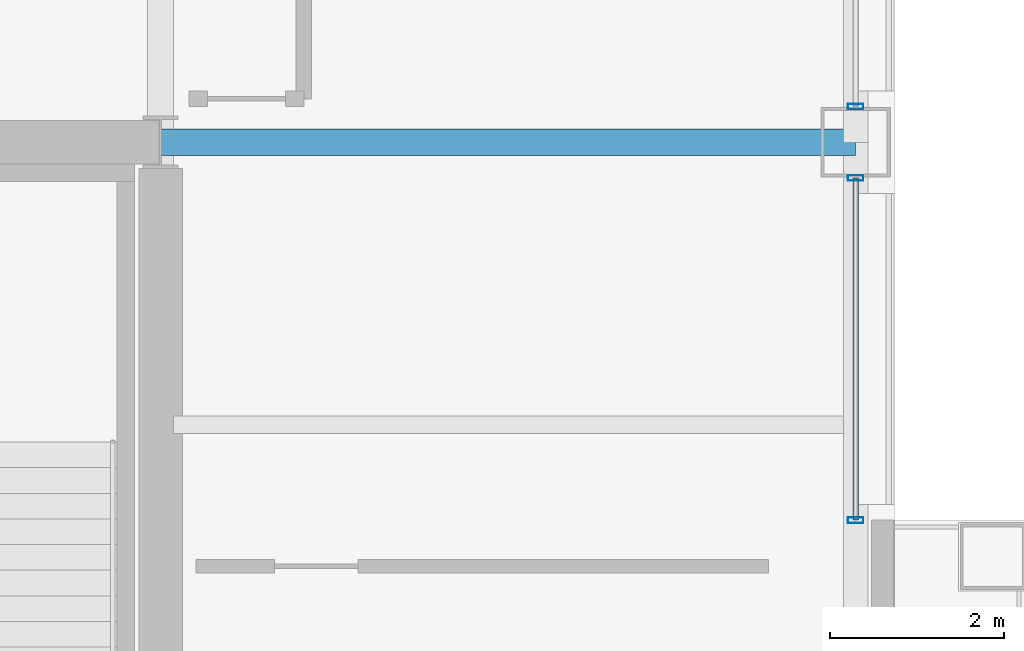
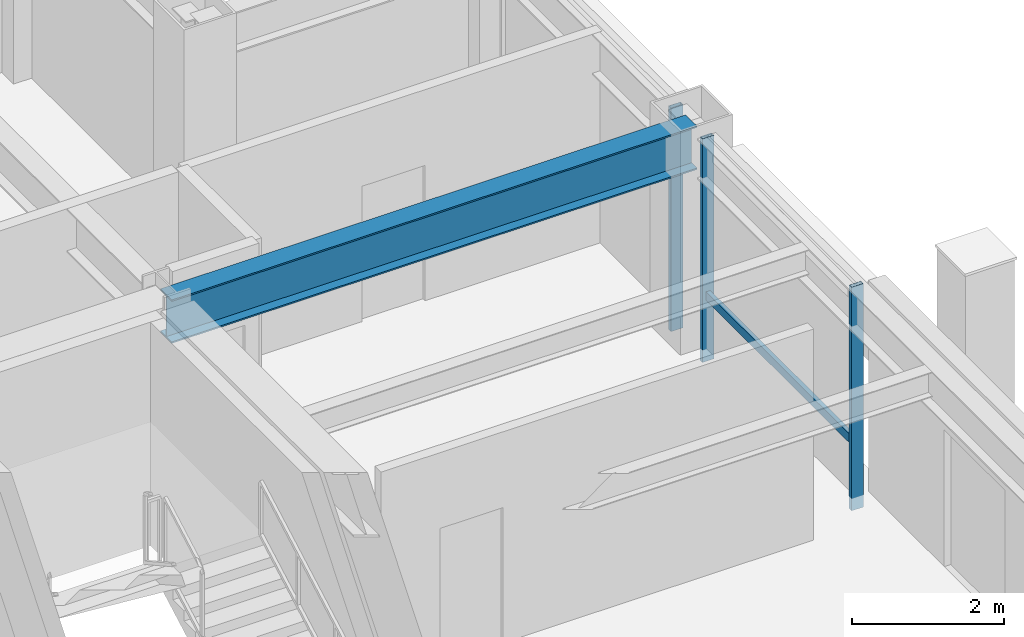
# One storey, part 16 of 29: 4 members, 1 beam, 2 elements without a shape of their own.
"""IFC4 building model written with IfcOpenShell, lengths in metres."""

from ifc_helpers import new_model, si_unit, direction, frame, origin, origin_2d, place, context, subcontext, project, spatial, hollow_rectangle, i_section, extrude, material, layer, layer_set, material_profile, profile_set, type_object, element, aggregate, save


model = new_model("IFC4")

# Units and contexts
model_context = context("Model", 3, precision=1e-05, world=origin(), true_north=direction((0.0, 1.0)))
body_context = subcontext(model_context, "Body", "Model", "MODEL_VIEW")
ifc_project = project(units=[si_unit("LENGTHUNIT", "METRE"), si_unit("AREAUNIT", "SQUARE_METRE"), si_unit("VOLUMEUNIT", "CUBIC_METRE"), si_unit("PLANEANGLEUNIT", "RADIAN"), si_unit("MASSUNIT", "GRAM", prefix="KILO")], contexts=[model_context])

# Site, building, storey
site_placement = place(None, origin())
site = spatial("IfcSite", under=ifc_project, at=site_placement, CompositionType="ELEMENT")
building_placement = place(site_placement, origin())
building = spatial("IfcBuilding", under=site, at=building_placement, Name="Brelmoor Portico Tower", CompositionType="ELEMENT")
storey_placement = place(building_placement, frame((0.0, 0.0, 124.199951171875)))
storey = spatial("IfcBuildingStorey", under=building, at=storey_placement, Name="L32", CompositionType="ELEMENT", Elevation=124.199951171875)

# Beam
ifc_material_1 = material(Name="Steel Q355B", Category="steel")
ifc_material_profile_1 = material_profile(ifc_material_1, i_section(OverallWidth=0.300048828125, OverallDepth=0.699951171875, WebThickness=0.012939453125, FlangeThickness=0.02392578125, at=origin_2d()), Name="HN 700x300x13x24")
ifc_profile_set_1 = profile_set([ifc_material_profile_1], Name="Steel Q355B")
beam_type = type_object("IfcBeamType", Name="BM-PG-700", PredefinedType="BEAM", material=ifc_profile_set_1)
beam_placement = place(storey_placement, frame((14.550048828125, 9.75, 3.050048828125), z_axis=(1.0, 0.0, 0.0), x_axis=(0.0, 1.0, 0.0)))
element("IfcBeam", 1, at=beam_placement, inside=storey, type_object=beam_type, Name="L32 Primary Floor Girder PG-26", PredefinedType="BEAM", context=body_context, shape_type="SweptSolid", body=[
    extrude(i_section(OverallWidth=0.300048828125, OverallDepth=0.699951171875, WebThickness=0.012939453125, FlangeThickness=0.02392578125, at=origin_2d()), origin(), (0.0, 0.0, 1.0), 8.0),
])

# Curtain wall, members
ifc_material_2 = material(Name="Anodised Aluminium Alloy 6063-T6", Category="aluminium")
ifc_layer_1 = layer(ifc_material_2, 0.179931640625)
ifc_layer_set_1 = layer_set([ifc_layer_1], Name="Anodised Aluminium Alloy 6063-T6")
curtain_wall_type_1 = type_object("IfcCurtainWallType", Name="CW-TOWER-Z2", PredefinedType="NOTDEFINED", material=ifc_layer_set_1)
curtain_wall_1_placement = place(storey_placement, origin())
curtain_wall_1 = element("IfcCurtainWall", 2, at=curtain_wall_1_placement, inside=storey, type_object=curtain_wall_type_1, Name="L32 Curtain Wall CW-L32-4R-1", PredefinedType="NOTDEFINED")
ifc_material_profile_2 = material_profile(ifc_material_2, hollow_rectangle(XDim=0.06494140625, YDim=0.179931640625, WallThickness=0.00390625, at=origin_2d()), Name="ALU MULLION 65x180")
ifc_profile_set_2 = profile_set([ifc_material_profile_2], Name="Anodised Aluminium Alloy 6063-T6")
member_type_1 = type_object("IfcMemberType", Name="MB-CW-MULL-180", PredefinedType="MULLION", material=ifc_profile_set_2)
member_1_placement = place(storey_placement, frame((22.550048828125, 5.39990234375, -0.199951171875), z_axis=(0.0, 0.0, 1.0), x_axis=(0.0, 1.0, 0.0)))
member_1 = element("IfcMember", 3, at=member_1_placement, type_object=member_type_1, Name="CW-L32-4R-1 Mullion 00", PredefinedType="MULLION", context=body_context, shape_type="SweptSolid", body=[
    extrude(hollow_rectangle(XDim=0.06494140625, YDim=0.179931640625, WallThickness=0.00390625, at=origin_2d()), origin(), (0.0, 0.0, 1.0), 3.60009765625),
])
member_2_placement = place(storey_placement, frame((22.550048828125, 9.340087890625, -0.199951171875), z_axis=(0.0, 0.0, 1.0), x_axis=(0.0, 1.0, 0.0)))
member_2 = element("IfcMember", 4, at=member_2_placement, type_object=member_type_1, Name="CW-L32-4R-1 Mullion 01", PredefinedType="MULLION", context=body_context, shape_type="SweptSolid", body=[
    extrude(hollow_rectangle(XDim=0.06494140625, YDim=0.179931640625, WallThickness=0.00390625, at=origin_2d()), origin(), (0.0, 0.0, 1.0), 3.60009765625),
])

# Curtain wall, member
ifc_layer_2 = layer(ifc_material_2, 0.179931640625)
ifc_layer_set_2 = layer_set([ifc_layer_2], Name="Anodised Aluminium Alloy 6063-T6")
curtain_wall_type_2 = type_object("IfcCurtainWallType", Name="CW-TOWER-Z2-XB", PredefinedType="NOTDEFINED", material=ifc_layer_set_2)
curtain_wall_2_placement = place(storey_placement, origin())
curtain_wall_2 = element("IfcCurtainWall", 5, at=curtain_wall_2_placement, inside=storey, type_object=curtain_wall_type_2, Name="L32 Curtain Wall CW-L32-4R-2", PredefinedType="NOTDEFINED")
member_3_placement = place(storey_placement, frame((22.550048828125, 10.159912109375, -0.199951171875), z_axis=(0.0, 0.0, 1.0), x_axis=(0.0, 1.0, 0.0)))
member_3 = element("IfcMember", 6, at=member_3_placement, type_object=member_type_1, Name="CW-L32-4R-2 Mullion 00", PredefinedType="MULLION", context=body_context, shape_type="SweptSolid", body=[
    extrude(hollow_rectangle(XDim=0.06494140625, YDim=0.179931640625, WallThickness=0.00390625, at=origin_2d()), origin(), (0.0, 0.0, 1.0), 3.60009765625),
])
aggregate(curtain_wall_2, [member_3])

# Member
ifc_material_profile_3 = material_profile(ifc_material_2, hollow_rectangle(XDim=0.06494140625, YDim=0.139892578125, WallThickness=0.00390625, at=origin_2d()), Name="ALU TRANSOM 65x140")
ifc_profile_set_3 = profile_set([ifc_material_profile_3], Name="Anodised Aluminium Alloy 6063-T6")
member_type_2 = type_object("IfcMemberType", Name="MB-CW-TRAN-140", PredefinedType="USERDEFINED", material=ifc_profile_set_3)
member_4_placement = place(storey_placement, frame((22.550048828125, 5.39990234375, 0.85009765625), z_axis=(0.0, 1.0, 0.0), x_axis=(-1.0, 0.0, 0.0)))
member_4 = element("IfcMember", 7, at=member_4_placement, type_object=member_type_2, Name="CW-L32-4R-1 Transom 1-00", ObjectType="TRANSOM", PredefinedType="USERDEFINED", context=body_context, shape_type="SweptSolid", body=[
    extrude(hollow_rectangle(XDim=0.06494140625, YDim=0.139892578125, WallThickness=0.00390625, at=origin_2d()), origin(), (0.0, 0.0, 1.0), 3.940185546875),
])

aggregate(curtain_wall_1, [member_1, member_2, member_4])

save(model, "model.ifc")
